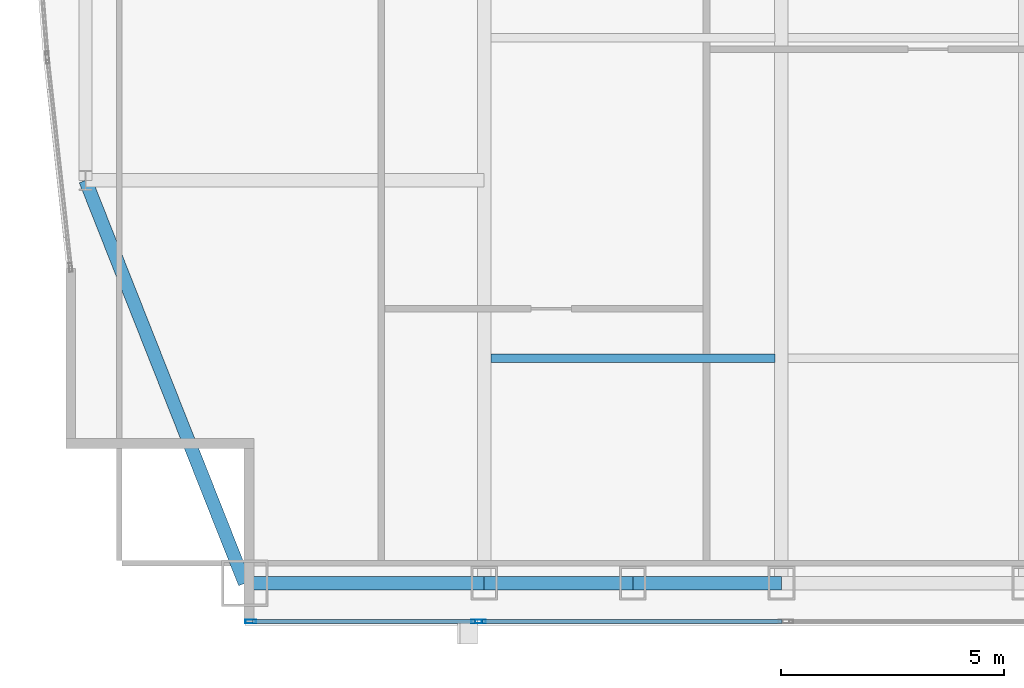
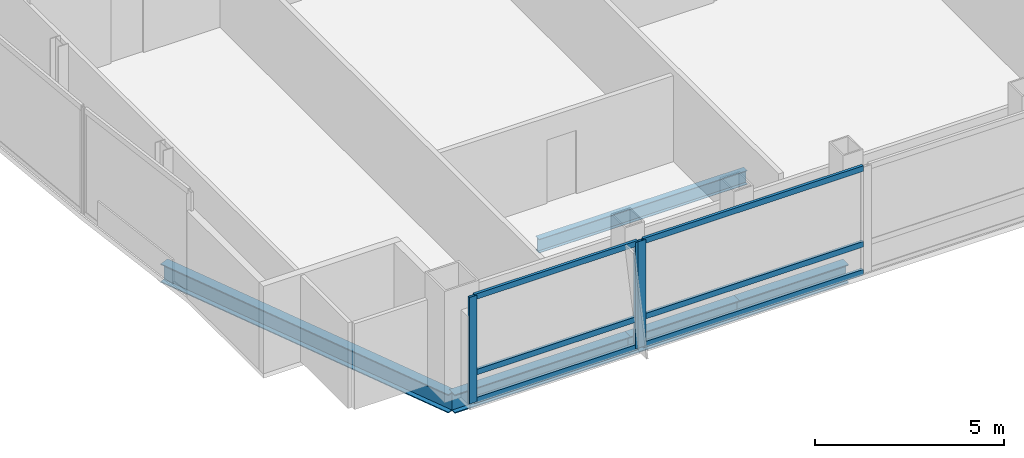
# One storey, part 5 of 29: 9 members, 5 beams, 2 elements without a shape of their own.
"""IFC4 building model written with IfcOpenShell, lengths in metres."""

from ifc_helpers import new_model, si_unit, direction, frame, origin, origin_2d, place, context, subcontext, project, spatial, hollow_rectangle, i_section, extrude, material, material_profile, profile_set, type_object, element, aggregate, save


model = new_model("IFC4")

# Units and contexts
model_context = context("Model", 3, precision=1e-05, world=origin(), true_north=direction((0.0, 1.0)))
body_context = subcontext(model_context, "Body", "Model", "MODEL_VIEW")
ifc_project = project(units=[si_unit("LENGTHUNIT", "METRE"), si_unit("AREAUNIT", "SQUARE_METRE"), si_unit("VOLUMEUNIT", "CUBIC_METRE"), si_unit("PLANEANGLEUNIT", "RADIAN"), si_unit("MASSUNIT", "GRAM", prefix="KILO")], contexts=[model_context])

# Site, building, storey
site_placement = place(None, origin())
site = spatial("IfcSite", under=ifc_project, at=site_placement, CompositionType="ELEMENT")
building_placement = place(site_placement, origin())
building = spatial("IfcBuilding", under=site, at=building_placement, Name="Khoronbel Lancet Exchange", CompositionType="ELEMENT")
storey_placement = place(building_placement, frame((0.0, 0.0, 242.60009765625)))
storey = spatial("IfcBuildingStorey", under=building, at=storey_placement, Name="L62", CompositionType="ELEMENT", Elevation=242.60009765625)

# Beams
ifc_material_1 = material(Name="Steel S355", Category="steel")
ifc_material_profile_1 = material_profile(ifc_material_1, i_section(OverallWidth=0.18994140625, OverallDepth=0.449951171875, WebThickness=0.009521484375, FlangeThickness=0.0146484375, at=origin_2d()), Name="IPE 450")
ifc_profile_set_1 = profile_set([ifc_material_profile_1], Name="Steel S355")
beam_type_1 = type_object("IfcBeamType", Name="BM-BJ4", PredefinedType="JOIST", material=ifc_profile_set_1)
beam_1_placement = place(storey_placement, frame((18.375, 15.199951171875, -0.385009765625), z_axis=(1.0, 0.0, 0.0), x_axis=(0.0, 1.0, 0.0)))
element("IfcBeam", 1, at=beam_1_placement, inside=storey, type_object=beam_type_1, Name="Level L62 secondary composite joist J01", PredefinedType="JOIST", context=body_context, shape_type="SweptSolid", body=[
    extrude(i_section(OverallWidth=0.18994140625, OverallDepth=0.449951171875, WebThickness=0.009521484375, FlangeThickness=0.0146484375, at=origin_2d()), origin(), (0.0, 0.0, 1.0), 6.375),
])
ifc_material_profile_2 = material_profile(ifc_material_1, i_section(OverallWidth=0.300048828125, OverallDepth=0.60009765625, WebThickness=0.015380859375, FlangeThickness=0.030029296875, at=origin_2d()), Name="HEB 600")
ifc_profile_set_2 = profile_set([ifc_material_profile_2], Name="Steel S355")
beam_type_2 = type_object("IfcBeamType", Name="BM-BSP2", PredefinedType="SPANDREL", material=ifc_profile_set_2)
beam_2_placement = place(storey_placement, frame((12.85009765625, 10.14990234375, -0.460205078125), z_axis=(1.0, 0.0, 0.0), x_axis=(0.0, 1.0, 0.0)))
element("IfcBeam", 2, at=beam_2_placement, inside=storey, type_object=beam_type_2, Name="Level L62 perimeter spandrel beam SP01", PredefinedType="SPANDREL", context=body_context, shape_type="SweptSolid", body=[
    extrude(i_section(OverallWidth=0.300048828125, OverallDepth=0.60009765625, WebThickness=0.015380859375, FlangeThickness=0.030029296875, at=origin_2d()), origin(), (0.0, 0.0, 1.0), 5.375),
])
for number, where, z_axis, x_axis, name in (
    (3, (18.22509765625, 10.14990234375, -0.460205078125), (1.0, 0.0, 0.0), (0.0, 1.0, 0.0), "Level L62 perimeter spandrel beam SP02"),
    (4, (21.5625, 10.14990234375, -0.460205078125), (1.0, 0.0, 0.0), (0.0, 1.0, 0.0), "Level L62 perimeter spandrel beam SP03"),
):
    element("IfcBeam", number, at=place(storey_placement, frame(where, z_axis=z_axis, x_axis=x_axis)), inside=storey, type_object=beam_type_2, Name=name, PredefinedType="SPANDREL", context=body_context, shape_type="SweptSolid", body=[
        extrude(i_section(OverallWidth=0.300048828125, OverallDepth=0.60009765625, WebThickness=0.015380859375, FlangeThickness=0.030029296875, at=origin_2d()), origin(), (0.0, 0.0, 1.0), 3.33740234375),
    ])
beam_3_placement = place(storey_placement, frame((9.27001953125, 19.199951171875, -0.460205078125), z_axis=(0.367850095026, -0.92988510451, 0.0), x_axis=(0.92988510451, 0.367850095026, 0.0)))
element("IfcBeam", 5, at=beam_3_placement, inside=storey, type_object=beam_type_2, Name="Level L62 perimeter spandrel beam SP21", PredefinedType="SPANDREL", context=body_context, shape_type="SweptSolid", body=[
    extrude(i_section(OverallWidth=0.300048828125, OverallDepth=0.60009765625, WebThickness=0.015380859375, FlangeThickness=0.030029296875, at=origin_2d()), origin(), (0.0, 0.0, 1.0), 9.732421875),
])

# Curtain wall, members
ifc_material_2 = material(Name="Low-E Solar Control Insulating Glass", Category="glass")
curtain_wall_type = type_object("IfcCurtainWallType", Name="CW-3", PredefinedType="NOTDEFINED", material=ifc_material_2)
curtain_wall_1_placement = place(storey_placement, origin())
curtain_wall_1 = element("IfcCurtainWall", 6, at=curtain_wall_1_placement, inside=storey, type_object=curtain_wall_type, Name="Unitised curtain wall CW-L62-SWV", PredefinedType="NOTDEFINED")
ifc_material_3 = material(Name="Bronze-Anodised Aluminium 6063-T6", Category="aluminium")
ifc_material_profile_3 = material_profile(ifc_material_3, hollow_rectangle(XDim=0.0849609375, YDim=0.239990234375, WallThickness=0.006103515625, at=origin_2d()), Name="ALU MULLION 85x240")
ifc_profile_set_3 = profile_set([ifc_material_profile_3], Name="Bronze-Anodised Aluminium 6063-T6")
member_type_1 = type_object("IfcMemberType", Name="MEM-CWM1", PredefinedType="MULLION", material=ifc_profile_set_3)
member_1_placement = place(storey_placement, frame((12.982421875, 9.2900390625, 0.0), z_axis=(0.0, 0.0, 1.0), x_axis=(0.0, 1.0, 0.0)))
member_1 = element("IfcMember", 7, at=member_1_placement, type_object=member_type_1, Name="CW3 mullion 1", PredefinedType="MULLION", context=body_context, shape_type="SweptSolid", body=[
    extrude(hollow_rectangle(XDim=0.0849609375, YDim=0.239990234375, WallThickness=0.006103515625, at=origin_2d()), origin(), (0.0, 0.0, 1.0), 3.43994140625),
])
member_2_placement = place(storey_placement, frame((18.0576171875, 9.2900390625, 0.0), z_axis=(0.0, 0.0, 1.0), x_axis=(0.0, 1.0, 0.0)))
member_2 = element("IfcMember", 8, at=member_2_placement, type_object=member_type_1, Name="CW3 mullion 2", PredefinedType="MULLION", context=body_context, shape_type="SweptSolid", body=[
    extrude(hollow_rectangle(XDim=0.0849609375, YDim=0.239990234375, WallThickness=0.006103515625, at=origin_2d()), origin(), (0.0, 0.0, 1.0), 3.43994140625),
])

# Curtain wall, member
curtain_wall_2_placement = place(storey_placement, origin())
curtain_wall_2 = element("IfcCurtainWall", 9, at=curtain_wall_2_placement, inside=storey, type_object=curtain_wall_type, Name="Unitised curtain wall CW-L62-SWB", PredefinedType="NOTDEFINED")
member_3_placement = place(storey_placement, frame((18.142578125, 9.2900390625, 0.0), z_axis=(0.0, 0.0, 1.0), x_axis=(0.0, 1.0, 0.0)))
member_3 = element("IfcMember", 10, at=member_3_placement, type_object=member_type_1, Name="CW3 mullion 1", PredefinedType="MULLION", context=body_context, shape_type="SweptSolid", body=[
    extrude(hollow_rectangle(XDim=0.0849609375, YDim=0.239990234375, WallThickness=0.006103515625, at=origin_2d()), origin(), (0.0, 0.0, 1.0), 3.43994140625),
])

# Member
ifc_material_profile_4 = material_profile(ifc_material_3, hollow_rectangle(XDim=0.0849609375, YDim=0.179931640625, WallThickness=0.0048828125, at=origin_2d()), Name="ALU TRANSOM 85x180")
ifc_profile_set_4 = profile_set([ifc_material_profile_4], Name="Bronze-Anodised Aluminium 6063-T6")
member_type_2 = type_object("IfcMemberType", Name="MEM-CWT1", PredefinedType="USERDEFINED", material=ifc_profile_set_4)
member_4_placement = place(storey_placement, frame((13.02490234375, 9.2900390625, 0.04248046875), z_axis=(1.0, 0.0, 0.0), x_axis=(0.0, 1.0, 0.0)))
member_4 = element("IfcMember", 11, at=member_4_placement, type_object=member_type_2, Name="CW3 transom 1.1", ObjectType="TRANSOM", PredefinedType="USERDEFINED", context=body_context, shape_type="SweptSolid", body=[
    extrude(hollow_rectangle(XDim=0.0849609375, YDim=0.179931640625, WallThickness=0.0048828125, at=origin_2d()), origin(), (0.0, 0.0, 1.0), 4.989990234375),
])

member_5_placement = place(storey_placement, frame((13.02490234375, 9.2900390625, 0.949951171875), z_axis=(1.0, 0.0, 0.0), x_axis=(0.0, 1.0, 0.0)))
member_5 = element("IfcMember", 12, at=member_5_placement, type_object=member_type_2, Name="CW3 transom 1.2", ObjectType="TRANSOM", PredefinedType="USERDEFINED", context=body_context, shape_type="SweptSolid", body=[
    extrude(hollow_rectangle(XDim=0.0849609375, YDim=0.179931640625, WallThickness=0.0048828125, at=origin_2d()), origin(), (0.0, 0.0, 1.0), 4.989990234375),
])

member_6_placement = place(storey_placement, frame((13.02490234375, 9.2900390625, 3.3974609375), z_axis=(1.0, 0.0, 0.0), x_axis=(0.0, 1.0, 0.0)))
member_6 = element("IfcMember", 13, at=member_6_placement, type_object=member_type_2, Name="CW3 transom 1.3", ObjectType="TRANSOM", PredefinedType="USERDEFINED", context=body_context, shape_type="SweptSolid", body=[
    extrude(hollow_rectangle(XDim=0.0849609375, YDim=0.179931640625, WallThickness=0.0048828125, at=origin_2d()), origin(), (0.0, 0.0, 1.0), 4.989990234375),
])

aggregate(curtain_wall_1, [member_1, member_2, member_4, member_5, member_6])

member_7_placement = place(storey_placement, frame((18.18505859375, 9.2900390625, 0.04248046875), z_axis=(1.0, 0.0, 0.0), x_axis=(0.0, 1.0, 0.0)))
member_7 = element("IfcMember", 14, at=member_7_placement, type_object=member_type_2, Name="CW3 transom 1.1", ObjectType="TRANSOM", PredefinedType="USERDEFINED", context=body_context, shape_type="SweptSolid", body=[
    extrude(hollow_rectangle(XDim=0.0849609375, YDim=0.179931640625, WallThickness=0.0048828125, at=origin_2d()), origin(), (0.0, 0.0, 1.0), 6.72998046875),
])

member_8_placement = place(storey_placement, frame((18.18505859375, 9.2900390625, 0.949951171875), z_axis=(1.0, 0.0, 0.0), x_axis=(0.0, 1.0, 0.0)))
member_8 = element("IfcMember", 15, at=member_8_placement, type_object=member_type_2, Name="CW3 transom 1.2", ObjectType="TRANSOM", PredefinedType="USERDEFINED", context=body_context, shape_type="SweptSolid", body=[
    extrude(hollow_rectangle(XDim=0.0849609375, YDim=0.179931640625, WallThickness=0.0048828125, at=origin_2d()), origin(), (0.0, 0.0, 1.0), 6.72998046875),
])

member_9_placement = place(storey_placement, frame((18.18505859375, 9.2900390625, 3.3974609375), z_axis=(1.0, 0.0, 0.0), x_axis=(0.0, 1.0, 0.0)))
member_9 = element("IfcMember", 16, at=member_9_placement, type_object=member_type_2, Name="CW3 transom 1.3", ObjectType="TRANSOM", PredefinedType="USERDEFINED", context=body_context, shape_type="SweptSolid", body=[
    extrude(hollow_rectangle(XDim=0.0849609375, YDim=0.179931640625, WallThickness=0.0048828125, at=origin_2d()), origin(), (0.0, 0.0, 1.0), 6.72998046875),
])

aggregate(curtain_wall_2, [member_3, member_7, member_8, member_9])

save(model, "model.ifc")
